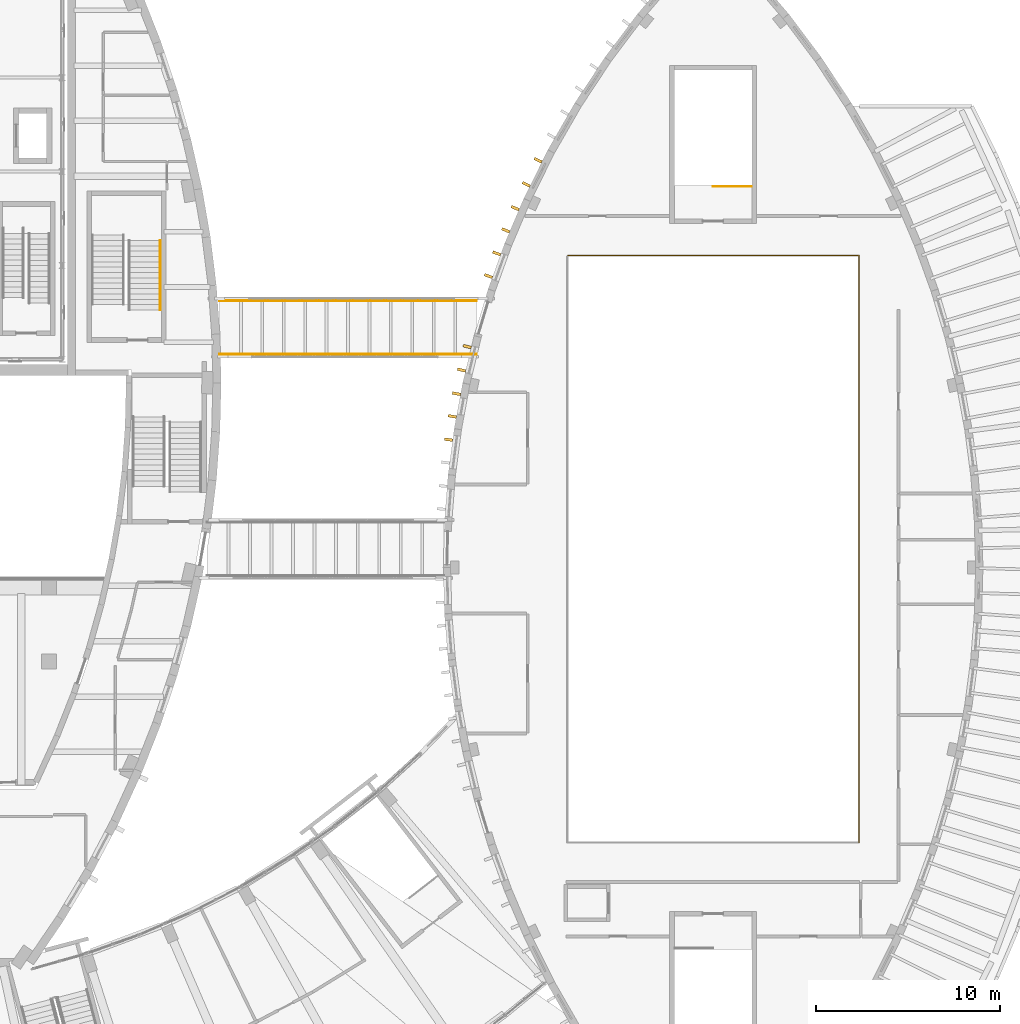
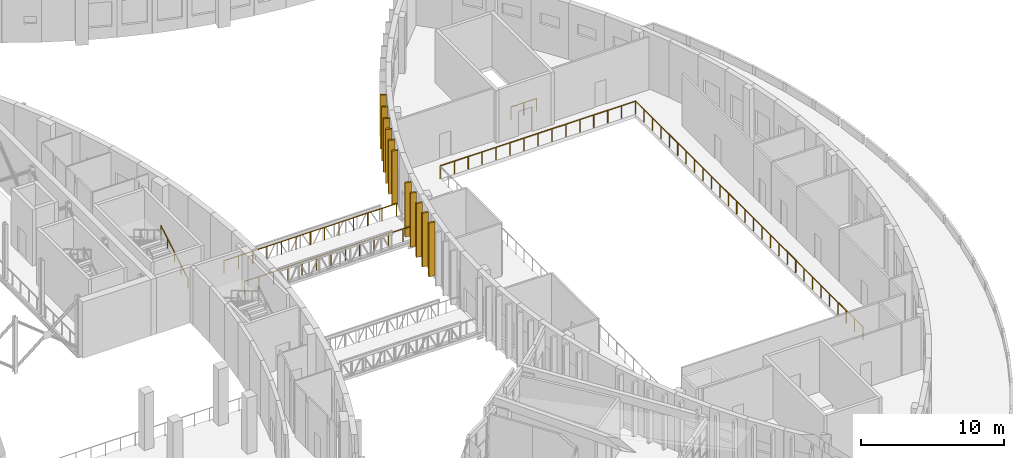
# One storey, part 87 of 93: 11 shading devices, 5 railings.
"""IFC4 building model written with IfcOpenShell, lengths in metres."""

from ifc_helpers import new_model, si_unit, direction, frame, origin, origin_2d, place, context, subcontext, project, spatial, rectangle, circle, extrude, material, layer, layer_set, type_object, element, save


model = new_model("IFC4")

# Units and contexts
model_context = context("Model", 3, precision=1e-05, world=origin(), true_north=direction((0.0, 1.0)))
body_context = subcontext(model_context, "Body", "Model", "MODEL_VIEW")
ifc_project = project(units=[si_unit("LENGTHUNIT", "METRE"), si_unit("AREAUNIT", "SQUARE_METRE"), si_unit("VOLUMEUNIT", "CUBIC_METRE"), si_unit("PLANEANGLEUNIT", "RADIAN"), si_unit("MASSUNIT", "GRAM", prefix="KILO")], contexts=[model_context])

# Site, building, storey
site_placement = place(None, origin())
site = spatial("IfcSite", under=ifc_project, at=site_placement, CompositionType="ELEMENT")
building_placement = place(site_placement, origin())
building = spatial("IfcBuilding", under=site, at=building_placement, Name="Tide Square Theatres", CompositionType="ELEMENT")
storey_placement = place(building_placement, frame((0.0, 0.0, 5.39990234375)))
storey = spatial("IfcBuildingStorey", under=building, at=storey_placement, Name="L01", CompositionType="ELEMENT", Elevation=5.39990234375)

# Shading devices
ifc_material_1 = material(Name="Concrete C40", Category="concrete")
ifc_layer = layer(ifc_material_1, 0.14990234375)
ifc_layer_set = layer_set([ifc_layer], Name="Concrete C40")
shading_device_type = type_object("IfcShadingDeviceType", Name="Concrete fin 450", PredefinedType="USERDEFINED", material=ifc_layer_set)
for number, where, z_axis, x_axis, name in (
    (1, (122.5146484375, 67.072265625, 0.0), (0.0, 0.0, 1.0), (-0.444338125475, -0.895859157596, 0.0), "Concrete fin"),
    (2, (121.865966796875, 65.764404296875, 0.0), (0.0, 0.0, 1.0), (-0.444338125475, -0.895859157596, 0.0), "Concrete fin"),
    (3, (121.2705078125, 64.4755859375, 0.0), (0.0, 0.0, 1.0), (-0.391518211689, -0.920170359181, 0.0), "Concrete fin"),
    (4, (120.75830078125, 63.272216796875, 0.0), (0.0, 0.0, 1.0), (-0.391518211689, -0.920170359181, 0.0), "Concrete fin"),
    (5, (120.26708984375, 62.023193359375, 0.0), (0.0, 0.0, 1.0), (-0.340379550213, -0.94028812701, 0.0), "Concrete fin"),
    (6, (119.82177734375, 60.793212890625, 0.0), (0.0, 0.0, 1.0), (-0.340379550213, -0.94028812701, 0.0), "Concrete fin"),
    (7, (118.67138671875, 56.970947265625, 0.0), (0.0, 0.0, 1.0), (-0.235142113103, -0.971961000579, 0.0), "Concrete fin"),
    (8, (118.36376953125, 55.69921875, 0.0), (0.0, 0.0, 1.0), (-0.235142113103, -0.971961000579, 0.0), "Concrete fin"),
    (9, (118.0888671875, 54.416748046875, 0.0), (0.0, 0.0, 1.0), (-0.182630214616, -0.983181674315, 0.0), "Concrete fin"),
    (10, (117.86083984375, 53.189208984375, 0.0), (0.0, 0.0, 1.0), (-0.182630214616, -0.983181674315, 0.0), "Concrete fin"),
    (11, (117.66015625, 51.92431640625, 0.0), (0.0, 0.0, 1.0), (-0.130785747402, -0.991410655721, 0.0), "Concrete fin"),
):
    element("IfcShadingDevice", number, at=place(storey_placement, frame(where, z_axis=z_axis, x_axis=x_axis)), inside=storey, type_object=shading_device_type, Name=name, ObjectType="BRISE-SOLEIL FIN", PredefinedType="USERDEFINED", context=body_context, shape_type="SweptSolid", body=[
        extrude(rectangle(XDim=0.14990234375, YDim=0.449951171875, at=origin_2d()), origin(), (0.0, 0.0, 1.0), 4.60009765625),
    ])

# Railings
ifc_material_2 = material(Name="Painted steel", Category="steel")
railing_type_1 = type_object("IfcRailingType", Name="Steel guard 1100", PredefinedType="GUARDRAIL", material=ifc_material_2)
railing_1_placement = place(storey_placement, frame((119.177490234375, 59.449951171875, 0.0)))
element("IfcRailing", 12, at=railing_1_placement, inside=storey, type_object=railing_type_1, Name="Bridge BR-E1 guard", PredefinedType="GUARDRAIL", context=body_context, shape_type="SweptSolid", body=[
    extrude(circle(Radius=0.02392578125, at=origin_2d()), frame((0.0, 0.0, 1.076171875), z_axis=(-1.0, 0.0, 0.0), x_axis=(0.0, -1.0, 0.0)), (0.0, 0.0, 1.0), 13.933349609375),
    extrude(circle(Radius=0.02099609375, at=origin_2d()), origin(), (0.0, 0.0, 1.0), 1.052001953125),
    extrude(circle(Radius=0.02099609375, at=origin_2d()), frame((-1.1611328125, 0.0, 0.0)), (0.0, 0.0, 1.0), 1.052001953125),
    extrude(circle(Radius=0.02099609375, at=origin_2d()), frame((-2.322265625, 0.0, 0.0)), (0.0, 0.0, 1.0), 1.052001953125),
    extrude(circle(Radius=0.02099609375, at=origin_2d()), frame((-3.4833984375, 0.0, 0.0)), (0.0, 0.0, 1.0), 1.052001953125),
    extrude(circle(Radius=0.02099609375, at=origin_2d()), frame((-4.64453125, 0.0, 0.0)), (0.0, 0.0, 1.0), 1.052001953125),
    extrude(circle(Radius=0.02099609375, at=origin_2d()), frame((-5.8056640625, 0.0, 0.0)), (0.0, 0.0, 1.0), 1.052001953125),
    extrude(circle(Radius=0.02099609375, at=origin_2d()), frame((-6.966796875, 0.0, 0.0)), (0.0, 0.0, 1.0), 1.052001953125),
    extrude(circle(Radius=0.02099609375, at=origin_2d()), frame((-8.127685546875, 0.0, 0.0)), (0.0, 0.0, 1.0), 1.052001953125),
    extrude(circle(Radius=0.02099609375, at=origin_2d()), frame((-9.288818359375, 0.0, 0.0)), (0.0, 0.0, 1.0), 1.052001953125),
    extrude(circle(Radius=0.02099609375, at=origin_2d()), frame((-10.449951171875, 0.0, 0.0)), (0.0, 0.0, 1.0), 1.052001953125),
    extrude(circle(Radius=0.02099609375, at=origin_2d()), frame((-11.611083984375, 0.0, 0.0)), (0.0, 0.0, 1.0), 1.052001953125),
    extrude(circle(Radius=0.02099609375, at=origin_2d()), frame((-12.772216796875, 0.0, 0.0)), (0.0, 0.0, 1.0), 1.052001953125),
    extrude(circle(Radius=0.02099609375, at=origin_2d()), frame((-13.933349609375, 0.0, 0.0)), (0.0, 0.0, 1.0), 1.052001953125),
])
railing_2_placement = place(storey_placement, frame((119.177490234375, 56.550048828125, 0.0)))
element("IfcRailing", 13, at=railing_2_placement, inside=storey, type_object=railing_type_1, Name="Bridge BR-E1 guard", PredefinedType="GUARDRAIL", context=body_context, shape_type="SweptSolid", body=[
    extrude(circle(Radius=0.02392578125, at=origin_2d()), frame((0.0, 0.0, 1.076171875), z_axis=(-1.0, 0.0, 0.0), x_axis=(0.0, -1.0, 0.0)), (0.0, 0.0, 1.0), 13.933349609375),
    extrude(circle(Radius=0.02099609375, at=origin_2d()), origin(), (0.0, 0.0, 1.0), 1.052001953125),
    extrude(circle(Radius=0.02099609375, at=origin_2d()), frame((-1.1611328125, 0.0, 0.0)), (0.0, 0.0, 1.0), 1.052001953125),
    extrude(circle(Radius=0.02099609375, at=origin_2d()), frame((-2.322265625, 0.0, 0.0)), (0.0, 0.0, 1.0), 1.052001953125),
    extrude(circle(Radius=0.02099609375, at=origin_2d()), frame((-3.4833984375, 0.0, 0.0)), (0.0, 0.0, 1.0), 1.052001953125),
    extrude(circle(Radius=0.02099609375, at=origin_2d()), frame((-4.64453125, 0.0, 0.0)), (0.0, 0.0, 1.0), 1.052001953125),
    extrude(circle(Radius=0.02099609375, at=origin_2d()), frame((-5.8056640625, 0.0, 0.0)), (0.0, 0.0, 1.0), 1.052001953125),
    extrude(circle(Radius=0.02099609375, at=origin_2d()), frame((-6.966796875, 0.0, 0.0)), (0.0, 0.0, 1.0), 1.052001953125),
    extrude(circle(Radius=0.02099609375, at=origin_2d()), frame((-8.127685546875, 0.0, 0.0)), (0.0, 0.0, 1.0), 1.052001953125),
    extrude(circle(Radius=0.02099609375, at=origin_2d()), frame((-9.288818359375, 0.0, 0.0)), (0.0, 0.0, 1.0), 1.052001953125),
    extrude(circle(Radius=0.02099609375, at=origin_2d()), frame((-10.449951171875, 0.0, 0.0)), (0.0, 0.0, 1.0), 1.052001953125),
    extrude(circle(Radius=0.02099609375, at=origin_2d()), frame((-11.611083984375, 0.0, 0.0)), (0.0, 0.0, 1.0), 1.052001953125),
    extrude(circle(Radius=0.02099609375, at=origin_2d()), frame((-12.772216796875, 0.0, 0.0)), (0.0, 0.0, 1.0), 1.052001953125),
    extrude(circle(Radius=0.02099609375, at=origin_2d()), frame((-13.933349609375, 0.0, 0.0)), (0.0, 0.0, 1.0), 1.052001953125),
])
railing_3_placement = place(storey_placement, frame((134.070068359375, 65.648193359375, 0.0)))
element("IfcRailing", 14, at=railing_3_placement, inside=storey, type_object=railing_type_1, Name="Black Box Theatre stair well guard", PredefinedType="GUARDRAIL", context=body_context, shape_type="SweptSolid", body=[
    extrude(circle(Radius=0.02490234375, at=origin_2d()), frame((0.0, 0.0, 1.0751953125), z_axis=(-1.0, 0.0, 0.0), x_axis=(0.0, -1.0, 0.0)), (0.0, 0.0, 1.0), 2.070068359375),
    extrude(circle(Radius=0.02001953125, at=origin_2d()), origin(), (0.0, 0.0, 1.0), 1.050048828125),
    extrude(circle(Radius=0.02001953125, at=origin_2d()), frame((-1.03515625, 0.0, 0.0)), (0.0, 0.0, 1.0), 1.050048828125),
    extrude(circle(Radius=0.02001953125, at=origin_2d()), frame((-2.070068359375, 0.0, 0.0)), (0.0, 0.0, 1.0), 1.050048828125),
])
railing_4_placement = place(storey_placement, frame((139.909912109375, 30.090087890625, 0.0)))
element("IfcRailing", 15, at=railing_4_placement, inside=storey, type_object=railing_type_1, Name="Black Box Theatre gallery guard", PredefinedType="GUARDRAIL", context=body_context, shape_type="SweptSolid", body=[
    extrude(circle(Radius=0.02490234375, at=origin_2d()), frame((0.0, 0.0, 1.0751953125), z_axis=(0.0, 1.0, 0.0), x_axis=(-1.0, 0.0, 0.0)), (0.0, 0.0, 1.0), 31.81982421875),
    extrude(circle(Radius=0.02490234375, at=origin_2d()), frame((0.0, 31.81982421875, 1.0751953125), z_axis=(-1.0, 0.0, 0.0), x_axis=(0.0, -1.0, 0.0)), (0.0, 0.0, 1.0), 15.77001953125),
    extrude(circle(Radius=0.02001953125, at=origin_2d()), origin(), (0.0, 0.0, 1.0), 1.050048828125),
    extrude(circle(Radius=0.02001953125, at=origin_2d()), frame((0.0, 1.178466796875, 0.0)), (0.0, 0.0, 1.0), 1.050048828125),
    extrude(circle(Radius=0.02001953125, at=origin_2d()), frame((0.0, 2.35693359375, 0.0)), (0.0, 0.0, 1.0), 1.050048828125),
    extrude(circle(Radius=0.02001953125, at=origin_2d()), frame((0.0, 3.53564453125, 0.0)), (0.0, 0.0, 1.0), 1.050048828125),
    extrude(circle(Radius=0.02001953125, at=origin_2d()), frame((0.0, 4.714111328125, 0.0)), (0.0, 0.0, 1.0), 1.050048828125),
    extrude(circle(Radius=0.02001953125, at=origin_2d()), frame((0.0, 5.892578125, 0.0)), (0.0, 0.0, 1.0), 1.050048828125),
    extrude(circle(Radius=0.02001953125, at=origin_2d()), frame((0.0, 7.071044921875, 0.0)), (0.0, 0.0, 1.0), 1.050048828125),
    extrude(circle(Radius=0.02001953125, at=origin_2d()), frame((0.0, 8.24951171875, 0.0)), (0.0, 0.0, 1.0), 1.050048828125),
    extrude(circle(Radius=0.02001953125, at=origin_2d()), frame((0.0, 9.427978515625, 0.0)), (0.0, 0.0, 1.0), 1.050048828125),
    extrude(circle(Radius=0.02001953125, at=origin_2d()), frame((0.0, 10.606689453125, 0.0)), (0.0, 0.0, 1.0), 1.050048828125),
    extrude(circle(Radius=0.02001953125, at=origin_2d()), frame((0.0, 11.78515625, 0.0)), (0.0, 0.0, 1.0), 1.050048828125),
    extrude(circle(Radius=0.02001953125, at=origin_2d()), frame((0.0, 12.963623046875, 0.0)), (0.0, 0.0, 1.0), 1.050048828125),
    extrude(circle(Radius=0.02001953125, at=origin_2d()), frame((0.0, 14.14208984375, 0.0)), (0.0, 0.0, 1.0), 1.050048828125),
    extrude(circle(Radius=0.02001953125, at=origin_2d()), frame((0.0, 15.320556640625, 0.0)), (0.0, 0.0, 1.0), 1.050048828125),
    extrude(circle(Radius=0.02001953125, at=origin_2d()), frame((0.0, 16.499267578125, 0.0)), (0.0, 0.0, 1.0), 1.050048828125),
    extrude(circle(Radius=0.02001953125, at=origin_2d()), frame((0.0, 17.677734375, 0.0)), (0.0, 0.0, 1.0), 1.050048828125),
    extrude(circle(Radius=0.02001953125, at=origin_2d()), frame((0.0, 18.856201171875, 0.0)), (0.0, 0.0, 1.0), 1.050048828125),
    extrude(circle(Radius=0.02001953125, at=origin_2d()), frame((0.0, 20.03466796875, 0.0)), (0.0, 0.0, 1.0), 1.050048828125),
    extrude(circle(Radius=0.02001953125, at=origin_2d()), frame((0.0, 21.213134765625, 0.0)), (0.0, 0.0, 1.0), 1.050048828125),
    extrude(circle(Radius=0.02001953125, at=origin_2d()), frame((0.0, 22.391845703125, 0.0)), (0.0, 0.0, 1.0), 1.050048828125),
    extrude(circle(Radius=0.02001953125, at=origin_2d()), frame((0.0, 23.5703125, 0.0)), (0.0, 0.0, 1.0), 1.050048828125),
    extrude(circle(Radius=0.02001953125, at=origin_2d()), frame((0.0, 24.748779296875, 0.0)), (0.0, 0.0, 1.0), 1.050048828125),
    extrude(circle(Radius=0.02001953125, at=origin_2d()), frame((0.0, 25.92724609375, 0.0)), (0.0, 0.0, 1.0), 1.050048828125),
    extrude(circle(Radius=0.02001953125, at=origin_2d()), frame((0.0, 27.105712890625, 0.0)), (0.0, 0.0, 1.0), 1.050048828125),
    extrude(circle(Radius=0.02001953125, at=origin_2d()), frame((0.0, 28.2841796875, 0.0)), (0.0, 0.0, 1.0), 1.050048828125),
    extrude(circle(Radius=0.02001953125, at=origin_2d()), frame((0.0, 29.462890625, 0.0)), (0.0, 0.0, 1.0), 1.050048828125),
    extrude(circle(Radius=0.02001953125, at=origin_2d()), frame((0.0, 30.641357421875, 0.0)), (0.0, 0.0, 1.0), 1.050048828125),
    extrude(circle(Radius=0.02001953125, at=origin_2d()), frame((0.0, 31.81982421875, 0.0)), (0.0, 0.0, 1.0), 1.050048828125),
    extrude(circle(Radius=0.02001953125, at=origin_2d()), frame((-1.12646484375, 31.81982421875, 0.0)), (0.0, 0.0, 1.0), 1.050048828125),
    extrude(circle(Radius=0.02001953125, at=origin_2d()), frame((-2.2529296875, 31.81982421875, 0.0)), (0.0, 0.0, 1.0), 1.050048828125),
    extrude(circle(Radius=0.02001953125, at=origin_2d()), frame((-3.37939453125, 31.81982421875, 0.0)), (0.0, 0.0, 1.0), 1.050048828125),
    extrude(circle(Radius=0.02001953125, at=origin_2d()), frame((-4.505615234375, 31.81982421875, 0.0)), (0.0, 0.0, 1.0), 1.050048828125),
    extrude(circle(Radius=0.02001953125, at=origin_2d()), frame((-5.632080078125, 31.81982421875, 0.0)), (0.0, 0.0, 1.0), 1.050048828125),
    extrude(circle(Radius=0.02001953125, at=origin_2d()), frame((-6.758544921875, 31.81982421875, 0.0)), (0.0, 0.0, 1.0), 1.050048828125),
    extrude(circle(Radius=0.02001953125, at=origin_2d()), frame((-7.885009765625, 31.81982421875, 0.0)), (0.0, 0.0, 1.0), 1.050048828125),
    extrude(circle(Radius=0.02001953125, at=origin_2d()), frame((-9.011474609375, 31.81982421875, 0.0)), (0.0, 0.0, 1.0), 1.050048828125),
    extrude(circle(Radius=0.02001953125, at=origin_2d()), frame((-10.137939453125, 31.81982421875, 0.0)), (0.0, 0.0, 1.0), 1.050048828125),
    extrude(circle(Radius=0.02001953125, at=origin_2d()), frame((-11.264404296875, 31.81982421875, 0.0)), (0.0, 0.0, 1.0), 1.050048828125),
    extrude(circle(Radius=0.02001953125, at=origin_2d()), frame((-12.390625, 31.81982421875, 0.0)), (0.0, 0.0, 1.0), 1.050048828125),
    extrude(circle(Radius=0.02001953125, at=origin_2d()), frame((-13.51708984375, 31.81982421875, 0.0)), (0.0, 0.0, 1.0), 1.050048828125),
    extrude(circle(Radius=0.02001953125, at=origin_2d()), frame((-14.6435546875, 31.81982421875, 0.0)), (0.0, 0.0, 1.0), 1.050048828125),
    extrude(circle(Radius=0.02001953125, at=origin_2d()), frame((-15.77001953125, 31.81982421875, 0.0)), (0.0, 0.0, 1.0), 1.050048828125),
])
ifc_material_3 = material(Name="Painted steel", Category="steel")
railing_type_2 = type_object("IfcRailingType", Name="Steel handrail 850", PredefinedType="HANDRAIL", material=ifc_material_3)
railing_5_placement = place(storey_placement, frame((102.0400390625, 58.949951171875, 0.171630859375)))
element("IfcRailing", 16, at=railing_5_placement, inside=storey, type_object=railing_type_2, Name="Stair handrail 2", PredefinedType="HANDRAIL", context=body_context, shape_type="SweptSolid", body=[
    extrude(circle(Radius=0.02490234375, at=origin_2d()), frame((0.0, 0.0, 0.8251953125), z_axis=(0.0, 0.860848830602, 0.508860777473), x_axis=(-1.0, 0.0, 0.0)), (0.0, 0.0, 1.0), 4.37939453125),
    extrude(circle(Radius=0.02001953125, at=origin_2d()), origin(), (0.0, 0.0, 1.0), 0.800048828125),
    extrude(circle(Radius=0.02001953125, at=origin_2d()), frame((0.0, 0.9423828125, 0.55712890625)), (0.0, 0.0, 1.0), 0.800048828125),
    extrude(circle(Radius=0.02001953125, at=origin_2d()), frame((0.0, 1.885009765625, 1.1142578125)), (0.0, 0.0, 1.0), 0.800048828125),
    extrude(circle(Radius=0.02001953125, at=origin_2d()), frame((0.0, 2.82763671875, 1.67138671875)), (0.0, 0.0, 1.0), 0.800048828125),
    extrude(circle(Radius=0.02001953125, at=origin_2d()), frame((0.0, 3.77001953125, 2.228515625)), (0.0, 0.0, 1.0), 0.800048828125),
])

save(model, "model.ifc")
